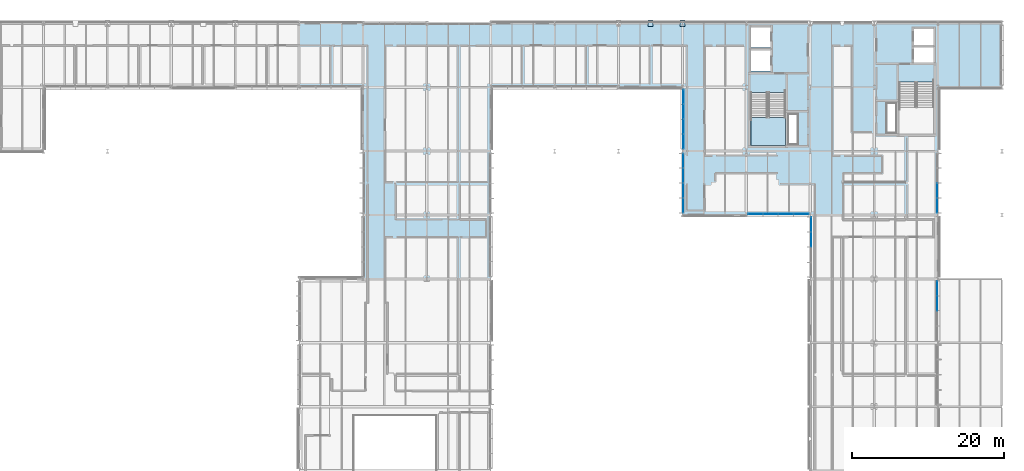
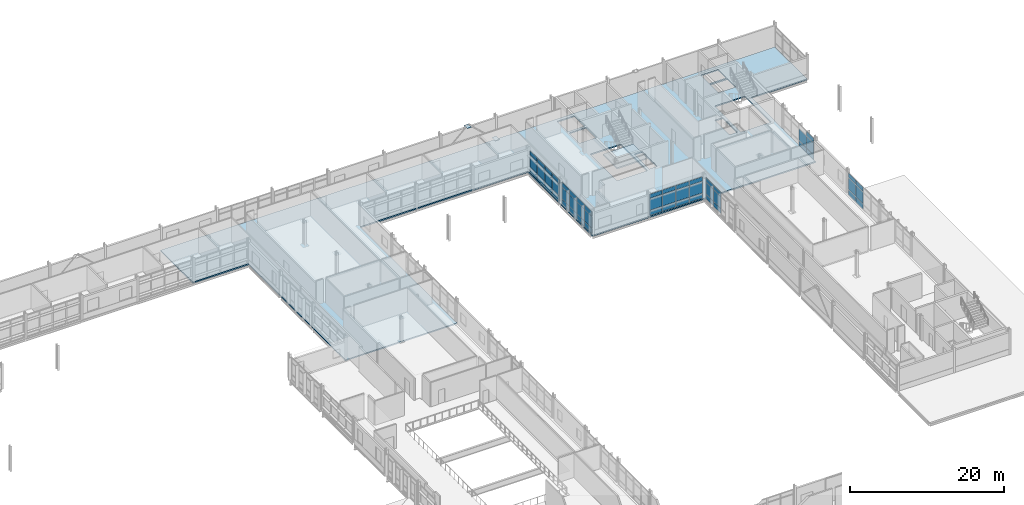
# One storey, part 116 of 151: 55 plates, 2 slabs, 7 elements without a shape of their own.
"""IFC4 building model written with IfcOpenShell, lengths in metres."""

from ifc_helpers import new_model, si_unit, direction, frame, origin, origin_2d, place, context, subcontext, project, spatial, polyline, rectangle, outline, extrude, material, layer, layer_set, type_object, element, aggregate, save


model = new_model("IFC4")

# Units and contexts
model_context = context("Model", 3, precision=1e-05, world=origin(), true_north=direction((0.0, 1.0)))
body_context = subcontext(model_context, "Body", "Model", "MODEL_VIEW")
ifc_project = project(units=[si_unit("LENGTHUNIT", "METRE"), si_unit("AREAUNIT", "SQUARE_METRE"), si_unit("VOLUMEUNIT", "CUBIC_METRE"), si_unit("PLANEANGLEUNIT", "RADIAN"), si_unit("MASSUNIT", "GRAM", prefix="KILO")], contexts=[model_context])

# Site, building, storey
site_placement = place(None, origin())
site = spatial("IfcSite", under=ifc_project, at=site_placement, CompositionType="ELEMENT")
building_placement = place(site_placement, origin())
building = spatial("IfcBuilding", under=site, at=building_placement, Name="Mersafa Astral City Hall", CompositionType="ELEMENT")
storey_placement = place(building_placement, frame((0.0, 0.0, 9.89990234375)))
storey = spatial("IfcBuildingStorey", under=building, at=storey_placement, Name="L02", CompositionType="ELEMENT", Elevation=9.89990234375)

# Curtain wall, plates
ifc_material_1 = material(Name="Anodised bronze aluminium framing", Category="aluminium")
curtain_wall_type_1 = type_object("IfcCurtainWallType", Name="ENV-CW-1", PredefinedType="USERDEFINED", material=ifc_material_1)
curtain_wall_1_placement = place(storey_placement, origin())
curtain_wall_1 = element("IfcCurtainWall", 1, at=curtain_wall_1_placement, inside=storey, type_object=curtain_wall_type_1, Name="L02 Unitised solar curtain wall 120", ObjectType="UNITISED CURTAIN WALL", PredefinedType="USERDEFINED")
ifc_material_2 = material(Name="Solar control low-e double glazing", Category="glass")
ifc_layer_1 = layer(ifc_material_2, 0.028076171875, Name="Solar control low-e double glazing")
ifc_layer_set_1 = layer_set([ifc_layer_1], Name="Solar control low-e double glazing — ENV-CW-PNL-GLZ-1")
plate_type_1 = type_object("IfcPlateType", Name="ENV-CW-PNL-GLZ-1", PredefinedType="CURTAIN_PANEL", material=ifc_layer_set_1)
plate_1_placement = place(storey_placement, frame((142.919921875, 107.9384765625, 0.05810546875), z_axis=(0.0, 0.0, 1.0), x_axis=(0.0, -1.0, 0.0)))
plate_1 = element("IfcPlate", 2, at=plate_1_placement, type_object=plate_type_1, Name="CW-1 panel 1.1", PredefinedType="CURTAIN_PANEL", context=body_context, shape_type="SweptSolid", body=[
    extrude(rectangle(XDim=1.87890625, YDim=0.028076171875, at=origin_2d()), origin(), (0.0, 0.0, 1.0), 0.761962890625),
])
plate_2_placement = place(storey_placement, frame((142.919921875, 107.9384765625, 0.8798828125), z_axis=(0.0, 0.0, 1.0), x_axis=(0.0, -1.0, 0.0)))
plate_2 = element("IfcPlate", 3, at=plate_2_placement, type_object=plate_type_1, Name="CW-1 panel 1.2", PredefinedType="CURTAIN_PANEL", context=body_context, shape_type="SweptSolid", body=[
    extrude(rectangle(XDim=1.87890625, YDim=0.028076171875, at=origin_2d()), origin(), (0.0, 0.0, 1.0), 1.840087890625),
])
plate_3_placement = place(storey_placement, frame((142.919921875, 107.9384765625, 2.7802734375), z_axis=(0.0, 0.0, 1.0), x_axis=(0.0, -1.0, 0.0)))
plate_3 = element("IfcPlate", 4, at=plate_3_placement, type_object=plate_type_1, Name="CW-1 panel 1.3", PredefinedType="CURTAIN_PANEL", context=body_context, shape_type="SweptSolid", body=[
    extrude(rectangle(XDim=1.87890625, YDim=0.028076171875, at=origin_2d()), origin(), (0.0, 0.0, 1.0), 0.737060546875),
])
plate_4_placement = place(storey_placement, frame((142.919921875, 105.984619140625, 0.05810546875), z_axis=(0.0, 0.0, 1.0), x_axis=(0.0, -1.0, 0.0)))
plate_4 = element("IfcPlate", 5, at=plate_4_placement, type_object=plate_type_1, Name="CW-1 panel 2.1", PredefinedType="CURTAIN_PANEL", context=body_context, shape_type="SweptSolid", body=[
    extrude(rectangle(XDim=1.908935546875, YDim=0.028076171875, at=origin_2d()), origin(), (0.0, 0.0, 1.0), 0.761962890625),
])
plate_5_placement = place(storey_placement, frame((142.919921875, 105.984619140625, 0.8798828125), z_axis=(0.0, 0.0, 1.0), x_axis=(0.0, -1.0, 0.0)))
plate_5 = element("IfcPlate", 6, at=plate_5_placement, type_object=plate_type_1, Name="CW-1 panel 2.2", PredefinedType="CURTAIN_PANEL", context=body_context, shape_type="SweptSolid", body=[
    extrude(rectangle(XDim=1.908935546875, YDim=0.028076171875, at=origin_2d()), origin(), (0.0, 0.0, 1.0), 1.840087890625),
])
plate_6_placement = place(storey_placement, frame((142.919921875, 105.984619140625, 2.7802734375), z_axis=(0.0, 0.0, 1.0), x_axis=(0.0, -1.0, 0.0)))
plate_6 = element("IfcPlate", 7, at=plate_6_placement, type_object=plate_type_1, Name="CW-1 panel 2.3", PredefinedType="CURTAIN_PANEL", context=body_context, shape_type="SweptSolid", body=[
    extrude(rectangle(XDim=1.908935546875, YDim=0.028076171875, at=origin_2d()), origin(), (0.0, 0.0, 1.0), 0.737060546875),
])
plate_7_placement = place(storey_placement, frame((142.919921875, 104.015380859375, 0.05810546875), z_axis=(0.0, 0.0, 1.0), x_axis=(0.0, -1.0, 0.0)))
plate_7 = element("IfcPlate", 8, at=plate_7_placement, type_object=plate_type_1, Name="CW-1 panel 3.1", PredefinedType="CURTAIN_PANEL", context=body_context, shape_type="SweptSolid", body=[
    extrude(rectangle(XDim=1.908935546875, YDim=0.028076171875, at=origin_2d()), origin(), (0.0, 0.0, 1.0), 0.761962890625),
])
plate_8_placement = place(storey_placement, frame((142.919921875, 104.015380859375, 0.8798828125), z_axis=(0.0, 0.0, 1.0), x_axis=(0.0, -1.0, 0.0)))
plate_8 = element("IfcPlate", 9, at=plate_8_placement, type_object=plate_type_1, Name="CW-1 panel 3.2", PredefinedType="CURTAIN_PANEL", context=body_context, shape_type="SweptSolid", body=[
    extrude(rectangle(XDim=1.908935546875, YDim=0.028076171875, at=origin_2d()), origin(), (0.0, 0.0, 1.0), 1.840087890625),
])
plate_9_placement = place(storey_placement, frame((142.919921875, 104.015380859375, 2.7802734375), z_axis=(0.0, 0.0, 1.0), x_axis=(0.0, -1.0, 0.0)))
plate_9 = element("IfcPlate", 10, at=plate_9_placement, type_object=plate_type_1, Name="CW-1 panel 3.3", PredefinedType="CURTAIN_PANEL", context=body_context, shape_type="SweptSolid", body=[
    extrude(rectangle(XDim=1.908935546875, YDim=0.028076171875, at=origin_2d()), origin(), (0.0, 0.0, 1.0), 0.737060546875),
])
plate_10_placement = place(storey_placement, frame((142.919921875, 102.0615234375, 0.05810546875), z_axis=(0.0, 0.0, 1.0), x_axis=(0.0, -1.0, 0.0)))
plate_10 = element("IfcPlate", 11, at=plate_10_placement, type_object=plate_type_1, Name="CW-1 panel 4.1", PredefinedType="CURTAIN_PANEL", context=body_context, shape_type="SweptSolid", body=[
    extrude(rectangle(XDim=1.87890625, YDim=0.028076171875, at=origin_2d()), origin(), (0.0, 0.0, 1.0), 0.761962890625),
])
plate_11_placement = place(storey_placement, frame((142.919921875, 102.0615234375, 0.8798828125), z_axis=(0.0, 0.0, 1.0), x_axis=(0.0, -1.0, 0.0)))
plate_11 = element("IfcPlate", 12, at=plate_11_placement, type_object=plate_type_1, Name="CW-1 panel 4.2", PredefinedType="CURTAIN_PANEL", context=body_context, shape_type="SweptSolid", body=[
    extrude(rectangle(XDim=1.87890625, YDim=0.028076171875, at=origin_2d()), origin(), (0.0, 0.0, 1.0), 1.840087890625),
])
plate_12_placement = place(storey_placement, frame((142.919921875, 102.0615234375, 2.7802734375), z_axis=(0.0, 0.0, 1.0), x_axis=(0.0, -1.0, 0.0)))
plate_12 = element("IfcPlate", 13, at=plate_12_placement, type_object=plate_type_1, Name="CW-1 panel 4.3", PredefinedType="CURTAIN_PANEL", context=body_context, shape_type="SweptSolid", body=[
    extrude(rectangle(XDim=1.87890625, YDim=0.028076171875, at=origin_2d()), origin(), (0.0, 0.0, 1.0), 0.737060546875),
])
aggregate(curtain_wall_1, [plate_1, plate_2, plate_3, plate_4, plate_5, plate_6, plate_7, plate_8, plate_9, plate_10, plate_11, plate_12])

curtain_wall_type_2 = type_object("IfcCurtainWallType", Name="ENV-CW-2", PredefinedType="USERDEFINED", material=ifc_material_1)
curtain_wall_2_placement = place(storey_placement, origin())
curtain_wall_2 = element("IfcCurtainWall", 14, at=curtain_wall_2_placement, inside=storey, type_object=curtain_wall_type_2, Name="L02 Unitised solar curtain wall 121", ObjectType="UNITISED CURTAIN WALL", PredefinedType="USERDEFINED")
ifc_layer_2 = layer(ifc_material_2, 0.031982421875, Name="Solar control low-e double glazing")
ifc_layer_set_2 = layer_set([ifc_layer_2], Name="Solar control low-e double glazing — ENV-CW-PNL-GLZ-2")
plate_type_2 = type_object("IfcPlateType", Name="ENV-CW-PNL-GLZ-2", PredefinedType="CURTAIN_PANEL", material=ifc_layer_set_2)
plate_13_placement = place(storey_placement, frame((152.386474609375, 100.919921875, 0.05810546875), z_axis=(0.0, 0.0, 1.0), x_axis=(1.0, 0.0, 0.0)))
plate_13 = element("IfcPlate", 15, at=plate_13_placement, type_object=plate_type_2, Name="CW-2 panel 1.1", PredefinedType="CURTAIN_PANEL", context=body_context, shape_type="SweptSolid", body=[
    extrude(rectangle(XDim=1.928955078125, YDim=0.031982421875, at=origin_2d()), origin(), (0.0, 0.0, 1.0), 0.761962890625),
])
plate_14_placement = place(storey_placement, frame((152.386474609375, 100.919921875, 0.8798828125), z_axis=(0.0, 0.0, 1.0), x_axis=(1.0, 0.0, 0.0)))
plate_14 = element("IfcPlate", 16, at=plate_14_placement, type_object=plate_type_2, Name="CW-2 panel 1.2", PredefinedType="CURTAIN_PANEL", context=body_context, shape_type="SweptSolid", body=[
    extrude(rectangle(XDim=1.928955078125, YDim=0.031982421875, at=origin_2d()), origin(), (0.0, 0.0, 1.0), 1.840087890625),
])
plate_15_placement = place(storey_placement, frame((152.386474609375, 100.919921875, 2.780029296875), z_axis=(0.0, 0.0, 1.0), x_axis=(1.0, 0.0, 0.0)))
plate_15 = element("IfcPlate", 17, at=plate_15_placement, type_object=plate_type_2, Name="CW-2 panel 1.3", PredefinedType="CURTAIN_PANEL", context=body_context, shape_type="SweptSolid", body=[
    extrude(rectangle(XDim=1.928955078125, YDim=0.031982421875, at=origin_2d()), origin(), (0.0, 0.0, 1.0), 0.64697265625),
])
plate_16_placement = place(storey_placement, frame((154.390380859375, 100.919921875, 0.05810546875), z_axis=(0.0, 0.0, 1.0), x_axis=(1.0, 0.0, 0.0)))
plate_16 = element("IfcPlate", 18, at=plate_16_placement, type_object=plate_type_2, Name="CW-2 panel 2.1", PredefinedType="CURTAIN_PANEL", context=body_context, shape_type="SweptSolid", body=[
    extrude(rectangle(XDim=1.958984375, YDim=0.031982421875, at=origin_2d()), origin(), (0.0, 0.0, 1.0), 0.761962890625),
])
plate_17_placement = place(storey_placement, frame((154.390380859375, 100.919921875, 0.8798828125), z_axis=(0.0, 0.0, 1.0), x_axis=(1.0, 0.0, 0.0)))
plate_17 = element("IfcPlate", 19, at=plate_17_placement, type_object=plate_type_2, Name="CW-2 panel 2.2", PredefinedType="CURTAIN_PANEL", context=body_context, shape_type="SweptSolid", body=[
    extrude(rectangle(XDim=1.958984375, YDim=0.031982421875, at=origin_2d()), origin(), (0.0, 0.0, 1.0), 1.840087890625),
])
plate_18_placement = place(storey_placement, frame((154.390380859375, 100.919921875, 2.780029296875), z_axis=(0.0, 0.0, 1.0), x_axis=(1.0, 0.0, 0.0)))
plate_18 = element("IfcPlate", 20, at=plate_18_placement, type_object=plate_type_2, Name="CW-2 panel 2.3", PredefinedType="CURTAIN_PANEL", context=body_context, shape_type="SweptSolid", body=[
    extrude(rectangle(XDim=1.958984375, YDim=0.031982421875, at=origin_2d()), origin(), (0.0, 0.0, 1.0), 0.64697265625),
])
plate_19_placement = place(storey_placement, frame((156.409423828125, 100.919921875, 0.05810546875), z_axis=(0.0, 0.0, 1.0), x_axis=(1.0, 0.0, 0.0)))
plate_19 = element("IfcPlate", 21, at=plate_19_placement, type_object=plate_type_2, Name="CW-2 panel 3.1", PredefinedType="CURTAIN_PANEL", context=body_context, shape_type="SweptSolid", body=[
    extrude(rectangle(XDim=1.958984375, YDim=0.031982421875, at=origin_2d()), origin(), (0.0, 0.0, 1.0), 0.761962890625),
])
plate_20_placement = place(storey_placement, frame((156.409423828125, 100.919921875, 0.8798828125), z_axis=(0.0, 0.0, 1.0), x_axis=(1.0, 0.0, 0.0)))
plate_20 = element("IfcPlate", 22, at=plate_20_placement, type_object=plate_type_2, Name="CW-2 panel 3.2", PredefinedType="CURTAIN_PANEL", context=body_context, shape_type="SweptSolid", body=[
    extrude(rectangle(XDim=1.958984375, YDim=0.031982421875, at=origin_2d()), origin(), (0.0, 0.0, 1.0), 1.840087890625),
])
plate_21_placement = place(storey_placement, frame((156.409423828125, 100.919921875, 2.780029296875), z_axis=(0.0, 0.0, 1.0), x_axis=(1.0, 0.0, 0.0)))
plate_21 = element("IfcPlate", 23, at=plate_21_placement, type_object=plate_type_2, Name="CW-2 panel 3.3", PredefinedType="CURTAIN_PANEL", context=body_context, shape_type="SweptSolid", body=[
    extrude(rectangle(XDim=1.958984375, YDim=0.031982421875, at=origin_2d()), origin(), (0.0, 0.0, 1.0), 0.64697265625),
])
plate_22_placement = place(storey_placement, frame((158.41357421875, 100.919921875, 0.05810546875), z_axis=(0.0, 0.0, 1.0), x_axis=(1.0, 0.0, 0.0)))
plate_22 = element("IfcPlate", 24, at=plate_22_placement, type_object=plate_type_2, Name="CW-2 panel 4.1", PredefinedType="CURTAIN_PANEL", context=body_context, shape_type="SweptSolid", body=[
    extrude(rectangle(XDim=1.928955078125, YDim=0.031982421875, at=origin_2d()), origin(), (0.0, 0.0, 1.0), 0.761962890625),
])
plate_23_placement = place(storey_placement, frame((158.41357421875, 100.919921875, 0.8798828125), z_axis=(0.0, 0.0, 1.0), x_axis=(1.0, 0.0, 0.0)))
plate_23 = element("IfcPlate", 25, at=plate_23_placement, type_object=plate_type_2, Name="CW-2 panel 4.2", PredefinedType="CURTAIN_PANEL", context=body_context, shape_type="SweptSolid", body=[
    extrude(rectangle(XDim=1.928955078125, YDim=0.031982421875, at=origin_2d()), origin(), (0.0, 0.0, 1.0), 1.840087890625),
])
plate_24_placement = place(storey_placement, frame((158.41357421875, 100.919921875, 2.780029296875), z_axis=(0.0, 0.0, 1.0), x_axis=(1.0, 0.0, 0.0)))
plate_24 = element("IfcPlate", 26, at=plate_24_placement, type_object=plate_type_2, Name="CW-2 panel 4.3", PredefinedType="CURTAIN_PANEL", context=body_context, shape_type="SweptSolid", body=[
    extrude(rectangle(XDim=1.928955078125, YDim=0.031982421875, at=origin_2d()), origin(), (0.0, 0.0, 1.0), 0.64697265625),
])
aggregate(curtain_wall_2, [plate_13, plate_14, plate_15, plate_16, plate_17, plate_18, plate_19, plate_20, plate_21, plate_22, plate_23, plate_24])

curtain_wall_type_3 = type_object("IfcCurtainWallType", Name="ENV-CW-6", PredefinedType="USERDEFINED", material=ifc_material_1)
curtain_wall_3_placement = place(storey_placement, origin())
curtain_wall_3 = element("IfcCurtainWall", 27, at=curtain_wall_3_placement, inside=storey, type_object=curtain_wall_type_3, Name="L02 Unitised solar curtain wall 125", ObjectType="UNITISED CURTAIN WALL", PredefinedType="USERDEFINED")
plate_25_placement = place(storey_placement, frame((176.280029296875, 89.190673828125, 0.05810546875), z_axis=(0.0, 0.0, 1.0), x_axis=(0.0, 1.0, 0.0)))
plate_25 = element("IfcPlate", 28, at=plate_25_placement, type_object=plate_type_2, Name="CW-6 panel 3.1", PredefinedType="CURTAIN_PANEL", context=body_context, shape_type="SweptSolid", body=[
    extrude(rectangle(XDim=1.92138671875, YDim=0.031982421875, at=origin_2d()), origin(), (0.0, 0.0, 1.0), 0.761962890625),
])
plate_26_placement = place(storey_placement, frame((176.280029296875, 89.190673828125, 0.8798828125), z_axis=(0.0, 0.0, 1.0), x_axis=(0.0, 1.0, 0.0)))
plate_26 = element("IfcPlate", 29, at=plate_26_placement, type_object=plate_type_2, Name="CW-6 panel 3.2", PredefinedType="CURTAIN_PANEL", context=body_context, shape_type="SweptSolid", body=[
    extrude(rectangle(XDim=1.92138671875, YDim=0.031982421875, at=origin_2d()), origin(), (0.0, 0.0, 1.0), 1.840087890625),
])
plate_27_placement = place(storey_placement, frame((176.280029296875, 89.190673828125, 2.7802734375), z_axis=(0.0, 0.0, 1.0), x_axis=(0.0, 1.0, 0.0)))
plate_27 = element("IfcPlate", 30, at=plate_27_placement, type_object=plate_type_2, Name="CW-6 panel 3.3", PredefinedType="CURTAIN_PANEL", context=body_context, shape_type="SweptSolid", body=[
    extrude(rectangle(XDim=1.92138671875, YDim=0.031982421875, at=origin_2d()), origin(), (0.0, 0.0, 1.0), 0.737060546875),
])
plate_28_placement = place(storey_placement, frame((176.280029296875, 91.1572265625, 0.05810546875), z_axis=(0.0, 0.0, 1.0), x_axis=(0.0, 1.0, 0.0)))
plate_28 = element("IfcPlate", 31, at=plate_28_placement, type_object=plate_type_2, Name="CW-6 panel 4.1", PredefinedType="CURTAIN_PANEL", context=body_context, shape_type="SweptSolid", body=[
    extrude(rectangle(XDim=1.8916015625, YDim=0.031982421875, at=origin_2d()), origin(), (0.0, 0.0, 1.0), 0.761962890625),
])
plate_29_placement = place(storey_placement, frame((176.280029296875, 91.1572265625, 0.8798828125), z_axis=(0.0, 0.0, 1.0), x_axis=(0.0, 1.0, 0.0)))
plate_29 = element("IfcPlate", 32, at=plate_29_placement, type_object=plate_type_2, Name="CW-6 panel 4.2", PredefinedType="CURTAIN_PANEL", context=body_context, shape_type="SweptSolid", body=[
    extrude(rectangle(XDim=1.8916015625, YDim=0.031982421875, at=origin_2d()), origin(), (0.0, 0.0, 1.0), 1.840087890625),
])
plate_30_placement = place(storey_placement, frame((176.280029296875, 91.1572265625, 2.7802734375), z_axis=(0.0, 0.0, 1.0), x_axis=(0.0, 1.0, 0.0)))
plate_30 = element("IfcPlate", 33, at=plate_30_placement, type_object=plate_type_2, Name="CW-6 panel 4.3", PredefinedType="CURTAIN_PANEL", context=body_context, shape_type="SweptSolid", body=[
    extrude(rectangle(XDim=1.8916015625, YDim=0.031982421875, at=origin_2d()), origin(), (0.0, 0.0, 1.0), 0.737060546875),
])
aggregate(curtain_wall_3, [plate_25, plate_26, plate_27, plate_28, plate_29, plate_30])

curtain_wall_type_4 = type_object("IfcCurtainWallType", Name="ENV-CW-3", PredefinedType="USERDEFINED", material=ifc_material_1)
curtain_wall_4_placement = place(storey_placement, origin())
curtain_wall_4 = element("IfcCurtainWall", 34, at=curtain_wall_4_placement, inside=storey, type_object=curtain_wall_type_4, Name="L02 Unitised solar curtain wall 122", ObjectType="UNITISED CURTAIN WALL", PredefinedType="USERDEFINED")
ifc_layer_3 = layer(ifc_material_2, 0.035888671875, Name="Solar control low-e double glazing")
ifc_layer_set_3 = layer_set([ifc_layer_3], Name="Solar control low-e double glazing — ENV-CW-PNL-GLZ-3")
plate_type_3 = type_object("IfcPlateType", Name="ENV-CW-PNL-GLZ-3", PredefinedType="CURTAIN_PANEL", material=ifc_layer_set_3)
plate_31_placement = place(storey_placement, frame((159.719970703125, 99.52978515625, 0.05810546875), z_axis=(0.0, 0.0, 1.0), x_axis=(0.0, -1.0, 0.0)))
plate_31 = element("IfcPlate", 35, at=plate_31_placement, type_object=plate_type_3, Name="CW-3 panel 1.1", PredefinedType="CURTAIN_PANEL", context=body_context, shape_type="SweptSolid", body=[
    extrude(rectangle(XDim=1.896484375, YDim=0.035888671875, at=origin_2d()), origin(), (0.0, 0.0, 1.0), 0.761962890625),
])
plate_32_placement = place(storey_placement, frame((159.719970703125, 99.52978515625, 0.8798828125), z_axis=(0.0, 0.0, 1.0), x_axis=(0.0, -1.0, 0.0)))
plate_32 = element("IfcPlate", 36, at=plate_32_placement, type_object=plate_type_3, Name="CW-3 panel 1.2", PredefinedType="CURTAIN_PANEL", context=body_context, shape_type="SweptSolid", body=[
    extrude(rectangle(XDim=1.896484375, YDim=0.035888671875, at=origin_2d()), origin(), (0.0, 0.0, 1.0), 1.840087890625),
])
plate_33_placement = place(storey_placement, frame((159.719970703125, 99.52978515625, 2.780029296875), z_axis=(0.0, 0.0, 1.0), x_axis=(0.0, -1.0, 0.0)))
plate_33 = element("IfcPlate", 37, at=plate_33_placement, type_object=plate_type_3, Name="CW-3 panel 1.3", PredefinedType="CURTAIN_PANEL", context=body_context, shape_type="SweptSolid", body=[
    extrude(rectangle(XDim=1.896484375, YDim=0.035888671875, at=origin_2d()), origin(), (0.0, 0.0, 1.0), 0.64697265625),
])
plate_34_placement = place(storey_placement, frame((159.719970703125, 97.558349609375, 0.05810546875), z_axis=(0.0, 0.0, 1.0), x_axis=(0.0, -1.0, 0.0)))
plate_34 = element("IfcPlate", 38, at=plate_34_placement, type_object=plate_type_3, Name="CW-3 panel 2.1", PredefinedType="CURTAIN_PANEL", context=body_context, shape_type="SweptSolid", body=[
    extrude(rectangle(XDim=1.926513671875, YDim=0.035888671875, at=origin_2d()), origin(), (0.0, 0.0, 1.0), 0.761962890625),
])
plate_35_placement = place(storey_placement, frame((159.719970703125, 97.558349609375, 0.8798828125), z_axis=(0.0, 0.0, 1.0), x_axis=(0.0, -1.0, 0.0)))
plate_35 = element("IfcPlate", 39, at=plate_35_placement, type_object=plate_type_3, Name="CW-3 panel 2.2", PredefinedType="CURTAIN_PANEL", context=body_context, shape_type="SweptSolid", body=[
    extrude(rectangle(XDim=1.926513671875, YDim=0.035888671875, at=origin_2d()), origin(), (0.0, 0.0, 1.0), 1.840087890625),
])
plate_36_placement = place(storey_placement, frame((159.719970703125, 97.558349609375, 2.780029296875), z_axis=(0.0, 0.0, 1.0), x_axis=(0.0, -1.0, 0.0)))
plate_36 = element("IfcPlate", 40, at=plate_36_placement, type_object=plate_type_3, Name="CW-3 panel 2.3", PredefinedType="CURTAIN_PANEL", context=body_context, shape_type="SweptSolid", body=[
    extrude(rectangle(XDim=1.926513671875, YDim=0.035888671875, at=origin_2d()), origin(), (0.0, 0.0, 1.0), 0.64697265625),
])
aggregate(curtain_wall_4, [plate_31, plate_32, plate_33, plate_34, plate_35, plate_36])

curtain_wall_5_placement = place(storey_placement, origin())
curtain_wall_5 = element("IfcCurtainWall", 41, at=curtain_wall_5_placement, inside=storey, type_object=curtain_wall_type_1, Name="L02 Unitised solar curtain wall 126", ObjectType="UNITISED CURTAIN WALL", PredefinedType="USERDEFINED")
plate_37_placement = place(storey_placement, frame((176.280029296875, 102.0615234375, 0.05810546875), z_axis=(0.0, 0.0, 1.0), x_axis=(0.0, 1.0, 0.0)))
plate_37 = element("IfcPlate", 42, at=plate_37_placement, type_object=plate_type_3, Name="CW-1 panel 1.1", PredefinedType="CURTAIN_PANEL", context=body_context, shape_type="SweptSolid", body=[
    extrude(rectangle(XDim=1.87890625, YDim=0.035888671875, at=origin_2d()), origin(), (0.0, 0.0, 1.0), 0.761962890625),
])
plate_38_placement = place(storey_placement, frame((176.280029296875, 102.0615234375, 0.8798828125), z_axis=(0.0, 0.0, 1.0), x_axis=(0.0, 1.0, 0.0)))
plate_38 = element("IfcPlate", 43, at=plate_38_placement, type_object=plate_type_3, Name="CW-1 panel 1.2", PredefinedType="CURTAIN_PANEL", context=body_context, shape_type="SweptSolid", body=[
    extrude(rectangle(XDim=1.87890625, YDim=0.035888671875, at=origin_2d()), origin(), (0.0, 0.0, 1.0), 1.840087890625),
])
plate_39_placement = place(storey_placement, frame((176.280029296875, 102.0615234375, 2.7802734375), z_axis=(0.0, 0.0, 1.0), x_axis=(0.0, 1.0, 0.0)))
plate_39 = element("IfcPlate", 44, at=plate_39_placement, type_object=plate_type_3, Name="CW-1 panel 1.3", PredefinedType="CURTAIN_PANEL", context=body_context, shape_type="SweptSolid", body=[
    extrude(rectangle(XDim=1.87890625, YDim=0.035888671875, at=origin_2d()), origin(), (0.0, 0.0, 1.0), 0.737060546875),
])
plate_40_placement = place(storey_placement, frame((176.280029296875, 104.015380859375, 0.05810546875), z_axis=(0.0, 0.0, 1.0), x_axis=(0.0, 1.0, 0.0)))
plate_40 = element("IfcPlate", 45, at=plate_40_placement, type_object=plate_type_3, Name="CW-1 panel 2.1", PredefinedType="CURTAIN_PANEL", context=body_context, shape_type="SweptSolid", body=[
    extrude(rectangle(XDim=1.908935546875, YDim=0.035888671875, at=origin_2d()), origin(), (0.0, 0.0, 1.0), 0.761962890625),
])
plate_41_placement = place(storey_placement, frame((176.280029296875, 104.015380859375, 0.8798828125), z_axis=(0.0, 0.0, 1.0), x_axis=(0.0, 1.0, 0.0)))
plate_41 = element("IfcPlate", 46, at=plate_41_placement, type_object=plate_type_3, Name="CW-1 panel 2.2", PredefinedType="CURTAIN_PANEL", context=body_context, shape_type="SweptSolid", body=[
    extrude(rectangle(XDim=1.908935546875, YDim=0.035888671875, at=origin_2d()), origin(), (0.0, 0.0, 1.0), 1.840087890625),
])
aggregate(curtain_wall_5, [plate_37, plate_38, plate_39, plate_40, plate_41])

curtain_wall_6_placement = place(storey_placement, origin())
curtain_wall_6 = element("IfcCurtainWall", 47, at=curtain_wall_6_placement, inside=storey, type_object=curtain_wall_type_3, Name="L02 Unitised solar curtain wall 119", ObjectType="UNITISED CURTAIN WALL", PredefinedType="USERDEFINED")
ifc_layer_4 = layer(ifc_material_2, 0.0400390625, Name="Solar control low-e double glazing")
ifc_layer_set_4 = layer_set([ifc_layer_4], Name="Solar control low-e double glazing — ENV-CW-PNL-GLZ-4")
plate_type_4 = type_object("IfcPlateType", Name="ENV-CW-PNL-GLZ-4", PredefinedType="CURTAIN_PANEL", material=ifc_layer_set_4)
plate_42_placement = place(storey_placement, frame((142.919921875, 116.33837890625, 0.05810546875), z_axis=(0.0, 0.0, 1.0), x_axis=(0.0, -1.0, 0.0)))
plate_42 = element("IfcPlate", 48, at=plate_42_placement, type_object=plate_type_4, Name="CW-6 panel 1.1", PredefinedType="CURTAIN_PANEL", context=body_context, shape_type="SweptSolid", body=[
    extrude(rectangle(XDim=1.87890625, YDim=0.0400390625, at=origin_2d()), origin(), (0.0, 0.0, 1.0), 0.761962890625),
])
plate_43_placement = place(storey_placement, frame((142.919921875, 116.33837890625, 0.8798828125), z_axis=(0.0, 0.0, 1.0), x_axis=(0.0, -1.0, 0.0)))
plate_43 = element("IfcPlate", 49, at=plate_43_placement, type_object=plate_type_4, Name="CW-6 panel 1.2", PredefinedType="CURTAIN_PANEL", context=body_context, shape_type="SweptSolid", body=[
    extrude(rectangle(XDim=1.87890625, YDim=0.0400390625, at=origin_2d()), origin(), (0.0, 0.0, 1.0), 1.840087890625),
])
plate_44_placement = place(storey_placement, frame((142.919921875, 116.33837890625, 2.780029296875), z_axis=(0.0, 0.0, 1.0), x_axis=(0.0, -1.0, 0.0)))
plate_44 = element("IfcPlate", 50, at=plate_44_placement, type_object=plate_type_4, Name="CW-6 panel 1.3", PredefinedType="CURTAIN_PANEL", context=body_context, shape_type="SweptSolid", body=[
    extrude(rectangle(XDim=1.87890625, YDim=0.0400390625, at=origin_2d()), origin(), (0.0, 0.0, 1.0), 0.64697265625),
])
plate_45_placement = place(storey_placement, frame((142.919921875, 114.384521484375, 0.05810546875), z_axis=(0.0, 0.0, 1.0), x_axis=(0.0, -1.0, 0.0)))
plate_45 = element("IfcPlate", 51, at=plate_45_placement, type_object=plate_type_4, Name="CW-6 panel 2.1", PredefinedType="CURTAIN_PANEL", context=body_context, shape_type="SweptSolid", body=[
    extrude(rectangle(XDim=1.908935546875, YDim=0.0400390625, at=origin_2d()), origin(), (0.0, 0.0, 1.0), 0.761962890625),
])
plate_46_placement = place(storey_placement, frame((142.919921875, 114.384521484375, 0.8798828125), z_axis=(0.0, 0.0, 1.0), x_axis=(0.0, -1.0, 0.0)))
plate_46 = element("IfcPlate", 52, at=plate_46_placement, type_object=plate_type_4, Name="CW-6 panel 2.2", PredefinedType="CURTAIN_PANEL", context=body_context, shape_type="SweptSolid", body=[
    extrude(rectangle(XDim=1.908935546875, YDim=0.0400390625, at=origin_2d()), origin(), (0.0, 0.0, 1.0), 1.840087890625),
])
plate_47_placement = place(storey_placement, frame((142.919921875, 114.384521484375, 2.780029296875), z_axis=(0.0, 0.0, 1.0), x_axis=(0.0, -1.0, 0.0)))
plate_47 = element("IfcPlate", 53, at=plate_47_placement, type_object=plate_type_4, Name="CW-6 panel 2.3", PredefinedType="CURTAIN_PANEL", context=body_context, shape_type="SweptSolid", body=[
    extrude(rectangle(XDim=1.908935546875, YDim=0.0400390625, at=origin_2d()), origin(), (0.0, 0.0, 1.0), 0.64697265625),
])
plate_48_placement = place(storey_placement, frame((142.919921875, 112.41552734375, 0.05810546875), z_axis=(0.0, 0.0, 1.0), x_axis=(0.0, -1.0, 0.0)))
plate_48 = element("IfcPlate", 54, at=plate_48_placement, type_object=plate_type_4, Name="CW-6 panel 3.1", PredefinedType="CURTAIN_PANEL", context=body_context, shape_type="SweptSolid", body=[
    extrude(rectangle(XDim=1.908935546875, YDim=0.0400390625, at=origin_2d()), origin(), (0.0, 0.0, 1.0), 0.761962890625),
])
plate_49_placement = place(storey_placement, frame((142.919921875, 112.41552734375, 0.8798828125), z_axis=(0.0, 0.0, 1.0), x_axis=(0.0, -1.0, 0.0)))
plate_49 = element("IfcPlate", 55, at=plate_49_placement, type_object=plate_type_4, Name="CW-6 panel 3.2", PredefinedType="CURTAIN_PANEL", context=body_context, shape_type="SweptSolid", body=[
    extrude(rectangle(XDim=1.908935546875, YDim=0.0400390625, at=origin_2d()), origin(), (0.0, 0.0, 1.0), 1.840087890625),
])
plate_50_placement = place(storey_placement, frame((142.919921875, 112.41552734375, 2.780029296875), z_axis=(0.0, 0.0, 1.0), x_axis=(0.0, -1.0, 0.0)))
plate_50 = element("IfcPlate", 56, at=plate_50_placement, type_object=plate_type_4, Name="CW-6 panel 3.3", PredefinedType="CURTAIN_PANEL", context=body_context, shape_type="SweptSolid", body=[
    extrude(rectangle(XDim=1.908935546875, YDim=0.0400390625, at=origin_2d()), origin(), (0.0, 0.0, 1.0), 0.64697265625),
])
plate_51_placement = place(storey_placement, frame((142.919921875, 110.46142578125, 0.05810546875), z_axis=(0.0, 0.0, 1.0), x_axis=(0.0, -1.0, 0.0)))
plate_51 = element("IfcPlate", 57, at=plate_51_placement, type_object=plate_type_4, Name="CW-6 panel 4.1", PredefinedType="CURTAIN_PANEL", context=body_context, shape_type="SweptSolid", body=[
    extrude(rectangle(XDim=1.87890625, YDim=0.0400390625, at=origin_2d()), origin(), (0.0, 0.0, 1.0), 0.761962890625),
])
plate_52_placement = place(storey_placement, frame((142.919921875, 110.46142578125, 0.8798828125), z_axis=(0.0, 0.0, 1.0), x_axis=(0.0, -1.0, 0.0)))
plate_52 = element("IfcPlate", 58, at=plate_52_placement, type_object=plate_type_4, Name="CW-6 panel 4.2", PredefinedType="CURTAIN_PANEL", context=body_context, shape_type="SweptSolid", body=[
    extrude(rectangle(XDim=1.87890625, YDim=0.0400390625, at=origin_2d()), origin(), (0.0, 0.0, 1.0), 1.840087890625),
])
plate_53_placement = place(storey_placement, frame((142.919921875, 110.46142578125, 2.780029296875), z_axis=(0.0, 0.0, 1.0), x_axis=(0.0, -1.0, 0.0)))
plate_53 = element("IfcPlate", 59, at=plate_53_placement, type_object=plate_type_4, Name="CW-6 panel 4.3", PredefinedType="CURTAIN_PANEL", context=body_context, shape_type="SweptSolid", body=[
    extrude(rectangle(XDim=1.87890625, YDim=0.0400390625, at=origin_2d()), origin(), (0.0, 0.0, 1.0), 0.64697265625),
])
aggregate(curtain_wall_6, [plate_42, plate_43, plate_44, plate_45, plate_46, plate_47, plate_48, plate_49, plate_50, plate_51, plate_52, plate_53])

# Stair, slab
ifc_material_3 = material(Name="Concrete C40/50", Category="concrete")
stair_type = type_object("IfcStairType", Name="STAIR", PredefinedType="HALF_TURN_STAIR", material=ifc_material_3)
stair_placement = place(storey_placement, origin())
stair = element("IfcStair", 60, at=stair_placement, inside=storey, type_object=stair_type, Name="L02 Protected Exit Stair ST1", PredefinedType="HALF_TURN_STAIR")
ifc_layer_5 = layer(ifc_material_3, 0.199951171875, Name="Concrete C40/50")
ifc_layer_set_5 = layer_set([ifc_layer_5], Name="Concrete C40/50 — STAIR-LANDING")
slab_type_1 = type_object("IfcSlabType", Name="STAIR-LANDING", PredefinedType="LANDING", material=ifc_layer_set_5)
slab_1_placement = place(storey_placement, frame((0.0, 0.0, 1.8251953125)))
slab_1 = element("IfcSlab", 61, at=slab_1_placement, type_object=slab_type_1, Name="ST1 landing 1", PredefinedType="LANDING", context=body_context, shape_type="SweptSolid", body=[
    extrude(outline(polyline([(151.780029296875, 113.60009765625), (151.780029296875, 109.949951171875), (156.340087890625, 109.949951171875), (156.340087890625, 113.60009765625), (151.780029296875, 113.60009765625)])), origin(), (0.0, 0.0, 1.0), 0.199951171875),
])
aggregate(stair, [slab_1])

# Plates
ifc_material_4 = material(Name="Steel S355", Category="steel")
ifc_layer_6 = layer(ifc_material_4, 0.02294921875, Name="Steel S355")
ifc_layer_set_6 = layer_set([ifc_layer_6], Name="Steel S355 — STR-PLT-NP-30")
plate_type_5 = type_object("IfcPlateType", Name="STR-PLT-NP-30", PredefinedType="SHEET", material=ifc_layer_set_6)
plate_54_placement = place(storey_placement, frame((138.60009765625, 126.0, 3.5185546875), z_axis=(0.0, 0.0, 1.0), x_axis=(1.0, 0.0, 0.0)))
element("IfcPlate", 62, at=plate_54_placement, inside=storey, type_object=plate_type_5, Name="L02 Structural steel brace gusset plate NP-30", PredefinedType="SHEET", context=body_context, shape_type="SweptSolid", body=[
    extrude(rectangle(XDim=0.659912109375, YDim=0.81005859375, at=origin_2d()), origin(), (0.0, 0.0, 1.0), 0.02294921875),
])
ifc_layer_7 = layer(ifc_material_4, 0.02490234375, Name="Steel S355")
ifc_layer_set_7 = layer_set([ifc_layer_7], Name="Steel S355 — STR-PLT-NP-32")
plate_type_6 = type_object("IfcPlateType", Name="STR-PLT-NP-32", PredefinedType="SHEET", material=ifc_layer_set_7)
plate_55_placement = place(storey_placement, frame((142.802001953125, 126.0, 0.107666015625), z_axis=(0.0, 0.0, 1.0), x_axis=(1.0, 0.0, 0.0)))
element("IfcPlate", 63, at=plate_55_placement, inside=storey, type_object=plate_type_6, Name="L02 Structural steel brace gusset plate NP-32", PredefinedType="SHEET", context=body_context, shape_type="SweptSolid", body=[
    extrude(rectangle(XDim=0.7099609375, YDim=0.8701171875, at=origin_2d()), origin(), (0.0, 0.0, 1.0), 0.02490234375),
])

# Slab
ifc_material_5 = material(Name="Concrete C35/45", Category="concrete")
ifc_layer_8 = layer(ifc_material_5, 0.199951171875, Name="Concrete C35/45")
ifc_layer_set_8 = layer_set([ifc_layer_8], Name="Concrete C35/45 — STR-SLAB-FLR-200")
slab_type_2 = type_object("IfcSlabType", Name="STR-SLAB-FLR-200", PredefinedType="FLOOR", material=ifc_layer_set_8)
slab_2_placement = place(storey_placement, frame((0.0, 0.0, -0.199951171875)))
element("IfcSlab", 64, at=slab_2_placement, inside=storey, type_object=slab_type_2, Name="L02 V6 structural floor slab 1", PredefinedType="FLOOR", context=body_context, shape_type="SweptSolid", body=[
    extrude(outline(polyline([(92.39990234375, 117.60009765625), (92.39990234375, 126.0), (100.800048828125, 126.0), (109.199951171875, 126.0), (117.60009765625, 126.0), (126.0, 126.0), (134.39990234375, 126.0), (142.800048828125, 126.0), (151.199951171875, 126.0), (159.60009765625, 126.0), (168.0, 126.0), (176.39990234375, 126.0), (184.800048828125, 126.0), (184.800048828125, 117.60009765625), (176.39990234375, 117.60009765625), (176.39990234375, 109.199951171875), (176.39990234375, 100.800048828125), (168.0, 100.800048828125), (159.60009765625, 100.800048828125), (151.199951171875, 100.800048828125), (142.800048828125, 100.800048828125), (142.800048828125, 109.199951171875), (142.800048828125, 117.60009765625), (134.39990234375, 117.60009765625), (126.0, 117.60009765625), (117.60009765625, 117.60009765625), (117.60009765625, 109.199951171875), (117.60009765625, 100.800048828125), (117.60009765625, 92.39990234375), (109.199951171875, 92.39990234375), (100.800048828125, 92.39990234375), (100.800048828125, 100.800048828125), (100.800048828125, 109.199951171875), (100.800048828125, 117.60009765625), (92.39990234375, 117.60009765625)]), holes=[polyline([(157.929931640625, 110.14990234375), (157.929931640625, 114.050048828125), (156.75, 114.050048828125), (156.75, 110.14990234375), (157.929931640625, 110.14990234375)]), polyline([(151.780029296875, 109.949951171875), (156.340087890625, 109.949951171875), (156.340087890625, 116.89990234375), (151.780029296875, 116.89990234375), (151.780029296875, 109.949951171875)]), polyline([(170.85009765625, 111.64990234375), (170.85009765625, 115.449951171875), (169.669921875, 115.449951171875), (169.669921875, 111.64990234375), (170.85009765625, 111.64990234375)]), polyline([(171.260009765625, 118.260009765625), (171.260009765625, 111.449951171875), (175.820068359375, 111.449951171875), (175.820068359375, 118.260009765625), (171.260009765625, 118.260009765625)]), polyline([(154.3798828125, 119.75), (154.3798828125, 122.449951171875), (151.780029296875, 122.449951171875), (151.780029296875, 119.75), (154.3798828125, 119.75)]), polyline([(175.820068359375, 120.679931640625), (175.820068359375, 122.860107421875), (173.219970703125, 122.860107421875), (173.219970703125, 120.679931640625), (175.820068359375, 120.679931640625)]), polyline([(154.3798828125, 122.800048828125), (154.3798828125, 125.5), (151.780029296875, 125.5), (151.780029296875, 122.800048828125), (154.3798828125, 122.800048828125)]), polyline([(175.820068359375, 123.080078125), (175.820068359375, 125.260009765625), (173.219970703125, 125.260009765625), (173.219970703125, 123.080078125), (175.820068359375, 123.080078125)])]), origin(), (0.0, 0.0, 1.0), 0.199951171875),
])

save(model, "model.ifc")
